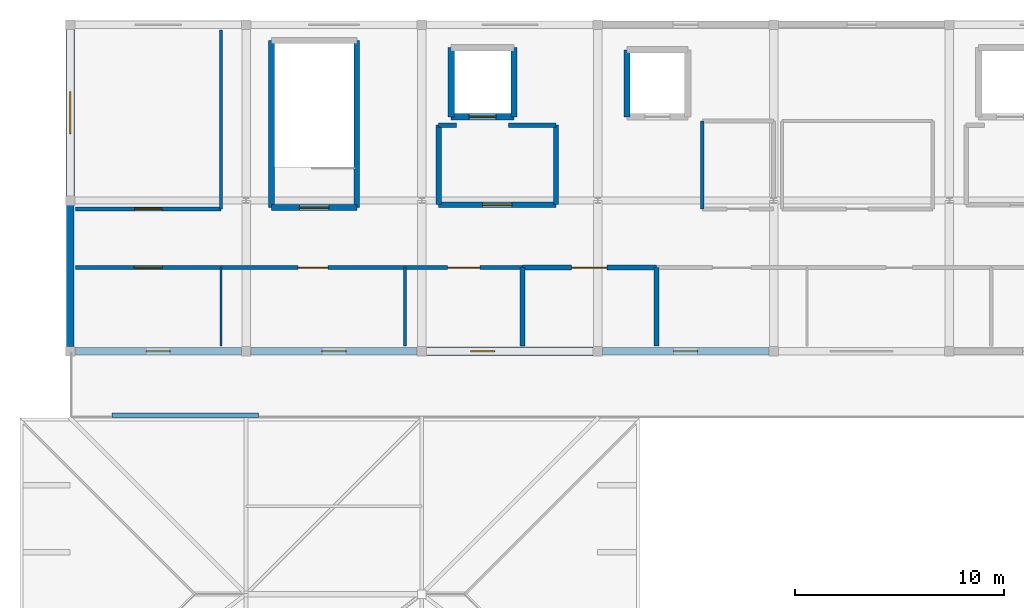
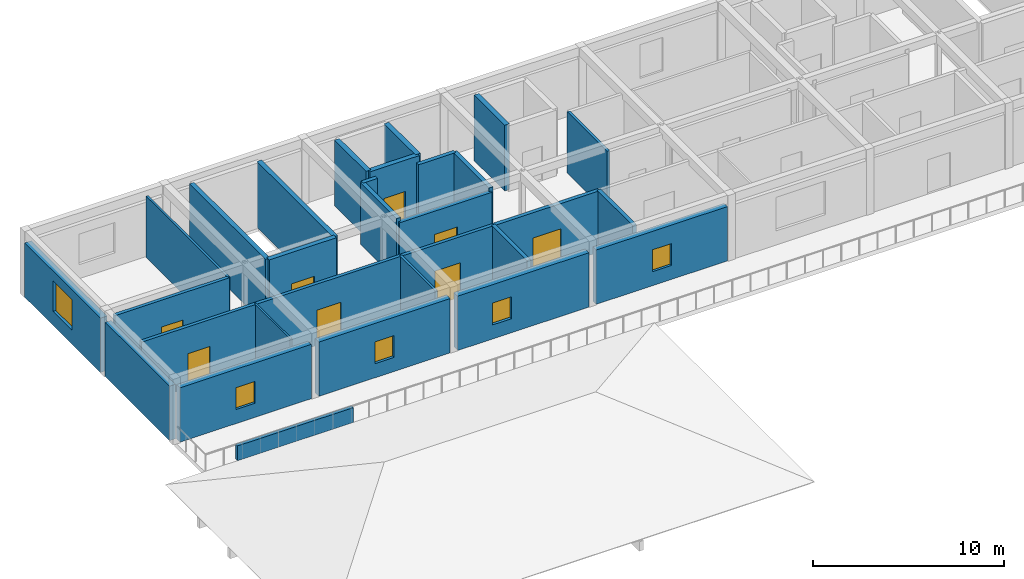
# One storey, part 14 of 22: 30 walls, 8 doors, 5 windows, 13 openings.
"""IFC4 building model written with IfcOpenShell, lengths in metres."""

import ifcopenshell
import ifcopenshell.guid

model = None  # the IFC model being written
_history = None  # IfcOwnerHistory: only IFC2X3 demands one
_inside = {}  # id of a spatial element -> (the spatial element, [elements in it])
_under = {}  # id of a project, library or spatial element -> (it, [spatial elements below it])
_declared = {}  # id of a project -> (the project, [libraries it declares])
_typed = {}  # id of a type object -> (the type object, [elements of that type])
_made_of = {}  # id of a material, layer set ... -> (it, [elements and type objects made of it])


def new_model(schema):
    """Start an empty IFC model of exactly this schema.

    Asked for "IFC4X3", IfcOpenShell would pick the latest addendum, in which some entities
    have other attributes; the version numbers below select the first issue.
    IFC2X3 requires an IfcOwnerHistory on every rooted entity: one is made here for all.
    """
    global model, _history
    if schema == "IFC4X3":
        model = ifcopenshell.file(schema_version=(4, 3, 0, 0))
    else:
        model = ifcopenshell.file(schema=schema)
    _inside.clear()
    _under.clear()
    _declared.clear()
    _typed.clear()
    _made_of.clear()
    _history = None
    if model.schema == "IFC2X3":
        org = make("IfcOrganization", Name="unknown")
        user = make(
            "IfcPersonAndOrganization",
            ThePerson=make("IfcPerson", FamilyName="unknown"),
            TheOrganization=org,
        )
        app = make(
            "IfcApplication",
            ApplicationDeveloper=org,
            Version="unknown",
            ApplicationFullName="unknown",
            ApplicationIdentifier="unknown",
        )
        _history = make(
            "IfcOwnerHistory",
            OwningUser=user,
            OwningApplication=app,
            ChangeAction="ADDED",
            CreationDate=0,
        )
    return model


def make(cls, **values):
    """One entity of the class cls with the attributes given. An attribute that is None is left unset."""
    return model.create_entity(
        cls, **{name: value for name, value in values.items() if value is not None}
    )


def rooted(cls, **values):
    """An entity with a GlobalId (a new one), such as an element, a storey or a relation."""
    return make(cls, GlobalId=ifcopenshell.guid.new(), OwnerHistory=_history, **values)


def si_unit(unit_type, name, prefix=None):
    """IfcSIUnit, for example si_unit("LENGTHUNIT", "METRE", prefix="MILLI")."""
    return make("IfcSIUnit", UnitType=unit_type, Prefix=prefix, Name=name)


def assignment(units):
    """IfcUnitAssignment: the units of a project."""
    return None if units is None else make("IfcUnitAssignment", Units=units)


def point(xyz):
    """IfcCartesianPoint."""
    return None if xyz is None else make("IfcCartesianPoint", Coordinates=xyz)


def direction(xyz):
    """IfcDirection."""
    return None if xyz is None else make("IfcDirection", DirectionRatios=xyz)


def frame(location, z_axis=None, x_axis=None):
    """IfcAxis2Placement3D, a coordinate frame: its origin and axes. An axis left out is left unset."""
    return make(
        "IfcAxis2Placement3D",
        Location=point(location),
        Axis=direction(z_axis),
        RefDirection=direction(x_axis),
    )


def frame_2d(location, x_axis=None):
    """IfcAxis2Placement2D, a coordinate frame in the plane: its origin and x axis."""
    return make(
        "IfcAxis2Placement2D", Location=point(location), RefDirection=direction(x_axis)
    )


def origin():
    """The frame at (0, 0, 0) with its axes left unset."""
    return frame((0.0, 0.0, 0.0))


def place(relative_to, where):
    """IfcLocalPlacement: puts the frame where relative to a parent placement (None: the world)."""
    return make(
        "IfcLocalPlacement", PlacementRelTo=relative_to, RelativePlacement=where
    )


def context(
    kind, dimensions, precision=None, world=None, true_north=None, identifier=None
):
    """IfcGeometricRepresentationContext, for example the 3D "Model" context."""
    return make(
        "IfcGeometricRepresentationContext",
        ContextIdentifier=identifier,
        ContextType=kind,
        CoordinateSpaceDimension=dimensions,
        Precision=precision,
        WorldCoordinateSystem=world,
        TrueNorth=true_north,
    )


def subcontext(parent, identifier, kind, view, scale=None):
    """IfcGeometricRepresentationSubContext, for example "Body" below "Model"."""
    return make(
        "IfcGeometricRepresentationSubContext",
        ContextIdentifier=identifier,
        ContextType=kind,
        ParentContext=parent,
        TargetScale=scale,
        TargetView=view,
    )


def project(units=None, contexts=None):
    """IfcProject with its units and contexts."""
    return rooted(
        "IfcProject",
        Name="project",
        RepresentationContexts=contexts,
        UnitsInContext=assignment(units),
    )


def spatial(cls, under=None, at=None, **own):
    """A site, building, storey or space (cls), placed at a placement, below another one or the project."""
    s = rooted(cls, ObjectPlacement=at, **own)
    if under is not None:
        _under.setdefault(under.id(), (under, []))[1].append(s)
    return s


def profile(cls, at=None, kind="AREA", **sizes):
    """A parametric profile (cls). Its sizes go by their IFC names, for example OverallWidth=200.0."""
    return make(cls, ProfileType=kind, Position=at, **sizes)


def rectangle(**sizes):
    """IfcRectangleProfileDef."""
    return profile("IfcRectangleProfileDef", **sizes)


def extrude(swept, where, along, depth):
    """IfcExtrudedAreaSolid: the profile swept, set in the frame where, extruded along a direction by depth."""
    return make(
        "IfcExtrudedAreaSolid",
        SweptArea=swept,
        Position=where,
        ExtrudedDirection=direction(along),
        Depth=depth,
    )


def shape(context_of_items, identifier, shape_type, items):
    """IfcShapeRepresentation: the items that make up one representation, for example the "Body"."""
    return make(
        "IfcShapeRepresentation",
        ContextOfItems=context_of_items,
        RepresentationIdentifier=identifier,
        RepresentationType=shape_type,
        Items=items,
    )


def material(Name=None, Category=None):
    """IfcMaterial."""
    return make("IfcMaterial", Name=Name, Category=Category)


def layer(
    of_material, thickness, ventilated=None, Name=None, Category=None, Priority=None
):
    """IfcMaterialLayer: one layer of a wall or slab, of a material (None: an air gap)."""
    return make(
        "IfcMaterialLayer",
        Material=of_material,
        LayerThickness=thickness,
        IsVentilated=ventilated,
        Name=Name,
        Category=Category,
        Priority=Priority,
    )


def layer_set(layers, Name=None):
    """IfcMaterialLayerSet."""
    return make("IfcMaterialLayerSet", MaterialLayers=layers, LayerSetName=Name)


def made_of(thing, what):
    """Note that an element or type object is made of a material, layer set ...; save() writes the relation."""
    if what is not None:
        _made_of.setdefault(what.id(), (what, []))[1].append(thing)
    return thing


def type_object(cls, material=None, **own):
    """A type object (cls), such as IfcWallType, which elements share."""
    return made_of(rooted(cls, **own), material)


def element(
    cls,
    number,
    at=None,
    inside=None,
    cuts=None,
    type_object=None,
    material=None,
    context=None,
    identifier="Body",
    shape_type=None,
    held_by="IfcProductDefinitionShape",
    body=None,
    shapes=None,
    **own,
):
    """One element of the class cls, such as IfcWall. Its Tag is "e" and its number.

    at: its placement. inside: the storey or other place that contains it. cuts: it is an
    opening in that element (IfcRelVoidsElement). A single representation is given by context,
    identifier, shape_type and body (its items); several are given by shapes. held_by: the class
    of the entity that holds the representations. save() writes the other relations.
    """
    e = rooted(cls, Tag="e%d" % number, ObjectPlacement=at, **own)
    if body is not None:
        shapes = [shape(context, identifier, shape_type, body)]
    if shapes is not None:
        e.Representation = make(held_by, Representations=shapes)
    if inside is not None:
        _inside.setdefault(inside.id(), (inside, []))[1].append(e)
    if cuts is not None:
        rooted(
            "IfcRelVoidsElement", RelatingBuildingElement=cuts, RelatedOpeningElement=e
        )
    if type_object is not None:
        _typed.setdefault(type_object.id(), (type_object, []))[1].append(e)
    return made_of(e, material)


def fill(opening, filler):
    """IfcRelFillsElement: the door or window that sits in an opening."""
    return rooted(
        "IfcRelFillsElement",
        RelatingOpeningElement=opening,
        RelatedBuildingElement=filler,
    )


def aggregate(whole, parts):
    """IfcRelAggregates: a whole, such as a stair, and the parts it consists of."""
    return rooted("IfcRelAggregates", RelatingObject=whole, RelatedObjects=parts)


def save(model, path):
    """Write the relations noted so far, then the file.

    IfcRelAggregates (storeys below a building ...), IfcRelContainedInSpatialStructure (elements
    in a storey), IfcRelDefinesByType, IfcRelAssociatesMaterial and IfcRelDeclares: one each for
    every whole, place, type object, material and project.
    """
    for whole, parts in _under.values():
        aggregate(whole, parts)
    for where, things in _inside.values():
        rooted(
            "IfcRelContainedInSpatialStructure",
            RelatedElements=things,
            RelatingStructure=where,
        )
    for kind, things in _typed.values():
        rooted("IfcRelDefinesByType", RelatedObjects=things, RelatingType=kind)
    for what, things in _made_of.values():
        rooted("IfcRelAssociatesMaterial", RelatedObjects=things, RelatingMaterial=what)
    for by, libraries in _declared.values():
        rooted("IfcRelDeclares", RelatingContext=by, RelatedDefinitions=libraries)
    model.write(path)


model = new_model("IFC4")

# Units and contexts
model_context = context("Model", 3, precision=1e-05, world=origin(), true_north=direction((0.0, 1.0)))
body_context = subcontext(model_context, "Body", "Model", "MODEL_VIEW")
ifc_project = project(units=[si_unit("LENGTHUNIT", "METRE"), si_unit("AREAUNIT", "SQUARE_METRE"), si_unit("VOLUMEUNIT", "CUBIC_METRE"), si_unit("PLANEANGLEUNIT", "RADIAN"), si_unit("MASSUNIT", "GRAM", prefix="KILO")], contexts=[model_context])

# Site, building, storey
site_placement = place(None, origin())
site = spatial("IfcSite", under=ifc_project, at=site_placement, CompositionType="ELEMENT")
building_placement = place(site_placement, origin())
building = spatial("IfcBuilding", under=site, at=building_placement, Name="Varncliffe General Hospital", CompositionType="ELEMENT")
storey_placement = place(building_placement, frame((0.0, 0.0, 33.0)))
storey = spatial("IfcBuildingStorey", under=building, at=storey_placement, Name="L07", CompositionType="ELEMENT", Elevation=33.0)

# Wall, opening, window
ifc_material_1 = material(Name="Precast concrete C40/50 with insulated cream lime-cement stucco", Category="concrete")
ifc_layer_1 = layer(ifc_material_1, 0.3798828125)
ifc_layer_set_1 = layer_set([ifc_layer_1], Name="Precast concrete C40/50 with insulated cream lime-cement stucco")
wall_type_1 = type_object("IfcWallType", Name="Exterior Insulated Stucco Wall EW26 (380mm)", PredefinedType="SOLIDWALL", material=ifc_layer_set_1)
wall_1_placement = place(storey_placement, frame((16.576904296875, 109.199951171875, 0.0), z_axis=(0.0, 0.0, 1.0), x_axis=(-1.0, 0.0, 0.0)))
wall_1 = element("IfcWall", 1, at=wall_1_placement, inside=storey, type_object=wall_type_1, Name="L07 Exterior Stucco Wall EW26-555", PredefinedType="SOLIDWALL", context=body_context, shape_type="SweptSolid", body=[
    extrude(rectangle(XDim=7.953857421875, YDim=0.3798828125, at=frame_2d((3.97705078125, 0.0))), origin(), (0.0, 0.0, 1.0), 3.47998046875),
])
opening_1_placement = place(wall_1_placement, frame((3.402099609375, 0.0, 0.89990234375)))
opening_1 = element("IfcOpeningElement", 2, at=opening_1_placement, cuts=wall_1, Name="Opening WN62", PredefinedType="OPENING", context=body_context, shape_type="SweptSolid", body=[
    extrude(rectangle(XDim=1.14990234375, YDim=1.39990234375, at=frame_2d((0.574951171875, 0.699951171875))), frame((0.0, 0.199951171875, 0.0), z_axis=(0.0, -1.0, 0.0), x_axis=(1.0, 0.0, 0.0)), (0.0, 0.0, 1.0), 0.39990234375),
])
ifc_material_2 = material(Name="Triple low-E argon insulated vision glazing", Category="glass")
window_type_1 = type_object("IfcWindowType", Name="Triple-Glazed Hospital Window WN62 (1150x1400)", PartitioningType="SINGLE_PANEL", PredefinedType="WINDOW", material=ifc_material_2)
window_1_placement = place(opening_1_placement, origin())
window_1 = element("IfcWindow", 3, at=window_1_placement, inside=storey, type_object=window_type_1, Name="L07 Hospital Window WN62-439", OverallHeight=1.39990234375, OverallWidth=1.14990234375, PartitioningType="SINGLE_PANEL", PredefinedType="WINDOW", context=body_context, shape_type="SweptSolid", body=[
    extrude(rectangle(XDim=1.14990234375, YDim=1.39990234375, at=frame_2d((0.574951171875, 0.699951171875))), frame((0.0, 0.030029296875, 0.0), z_axis=(0.0, -1.0, 0.0), x_axis=(1.0, 0.0, 0.0)), (0.0, 0.0, 1.0), 0.06005859375),
])
fill(opening_1, window_1)

# Wall
ifc_layer_2 = layer(ifc_material_1, 0.35009765625)
ifc_layer_set_2 = layer_set([ifc_layer_2], Name="Precast concrete C40/50 with insulated cream lime-cement stucco")
wall_type_2 = type_object("IfcWallType", Name="Exterior Insulated Stucco Wall EW37 (350mm)", PredefinedType="SOLIDWALL", material=ifc_layer_set_2)
wall_2_placement = place(storey_placement, frame((0.0, 109.423095703125, 0.0), z_axis=(0.0, 0.0, 1.0), x_axis=(0.0, 1.0, 0.0)))
element("IfcWall", 4, at=wall_2_placement, inside=storey, type_object=wall_type_2, Name="L07 Exterior Stucco Wall EW37-537", PredefinedType="SOLIDWALL", context=body_context, shape_type="SweptSolid", body=[
    extrude(rectangle(XDim=6.75390625, YDim=0.35009765625, at=frame_2d((3.376953125, 0.0))), origin(), (0.0, 0.0, 1.0), 3.47998046875),
])

# Wall, opening, window
wall_3_placement = place(storey_placement, frame((33.376953125, 109.199951171875, 0.0), z_axis=(0.0, 0.0, 1.0), x_axis=(-1.0, 0.0, 0.0)))
wall_3 = element("IfcWall", 5, at=wall_3_placement, inside=storey, type_object=wall_type_2, Name="L07 Exterior Stucco Wall EW37-553", PredefinedType="SOLIDWALL", context=body_context, shape_type="SweptSolid", body=[
    extrude(rectangle(XDim=7.953857421875, YDim=0.35009765625, at=frame_2d((3.97705078125, 0.0))), origin(), (0.0, 0.0, 1.0), 3.47998046875),
])
opening_2_placement = place(wall_3_placement, frame((3.402099609375, 0.0, 0.89990234375)))
opening_2 = element("IfcOpeningElement", 6, at=opening_2_placement, cuts=wall_3, Name="Opening WN62", PredefinedType="OPENING", context=body_context, shape_type="SweptSolid", body=[
    extrude(rectangle(XDim=1.14990234375, YDim=1.39990234375, at=frame_2d((0.574951171875, 0.699951171875))), frame((0.0, 0.18505859375, 0.0), z_axis=(0.0, -1.0, 0.0), x_axis=(1.0, 0.0, 0.0)), (0.0, 0.0, 1.0), 0.3701171875),
])
window_2_placement = place(opening_2_placement, origin())
window_2 = element("IfcWindow", 7, at=window_2_placement, inside=storey, type_object=window_type_1, Name="L07 Hospital Window WN62-437", OverallHeight=1.39990234375, OverallWidth=1.14990234375, PartitioningType="SINGLE_PANEL", PredefinedType="WINDOW", context=body_context, shape_type="SweptSolid", body=[
    extrude(rectangle(XDim=1.14990234375, YDim=1.39990234375, at=frame_2d((0.574951171875, 0.699951171875))), frame((0.0, 0.030029296875, 0.0), z_axis=(0.0, -1.0, 0.0), x_axis=(1.0, 0.0, 0.0)), (0.0, 0.0, 1.0), 0.06005859375),
])
fill(opening_2, window_2)

wall_4_placement = place(storey_placement, frame((8.177001953125, 109.199951171875, 0.0), z_axis=(0.0, 0.0, 1.0), x_axis=(-1.0, 0.0, 0.0)))
wall_4 = element("IfcWall", 8, at=wall_4_placement, inside=storey, type_object=wall_type_2, Name="L07 Exterior Stucco Wall EW37-556", PredefinedType="SOLIDWALL", context=body_context, shape_type="SweptSolid", body=[
    extrude(rectangle(XDim=7.9541015625, YDim=0.35009765625, at=frame_2d((3.97705078125, 0.0))), origin(), (0.0, 0.0, 1.0), 3.47998046875),
])
opening_3_placement = place(wall_4_placement, frame((3.402099609375, 0.0, 0.89990234375)))
opening_3 = element("IfcOpeningElement", 9, at=opening_3_placement, cuts=wall_4, Name="Opening WN62", PredefinedType="OPENING", context=body_context, shape_type="SweptSolid", body=[
    extrude(rectangle(XDim=1.14990234375, YDim=1.39990234375, at=frame_2d((0.574951171875, 0.699951171875))), frame((0.0, 0.18505859375, 0.0), z_axis=(0.0, -1.0, 0.0), x_axis=(1.0, 0.0, 0.0)), (0.0, 0.0, 1.0), 0.3701171875),
])
window_3_placement = place(opening_3_placement, origin())
window_3 = element("IfcWindow", 10, at=window_3_placement, inside=storey, type_object=window_type_1, Name="L07 Hospital Window WN62-440", OverallHeight=1.39990234375, OverallWidth=1.14990234375, PartitioningType="SINGLE_PANEL", PredefinedType="WINDOW", context=body_context, shape_type="SweptSolid", body=[
    extrude(rectangle(XDim=1.14990234375, YDim=1.39990234375, at=frame_2d((0.574951171875, 0.699951171875))), frame((0.0, 0.030029296875, 0.0), z_axis=(0.0, -1.0, 0.0), x_axis=(1.0, 0.0, 0.0)), (0.0, 0.0, 1.0), 0.06005859375),
])
fill(opening_3, window_3)

ifc_layer_3 = layer(ifc_material_1, 0.39990234375)
ifc_layer_set_3 = layer_set([ifc_layer_3], Name="Precast concrete C40/50 with insulated cream lime-cement stucco")
wall_type_3 = type_object("IfcWallType", Name="Exterior Insulated Stucco Wall EW47 (400mm)", PredefinedType="SOLIDWALL", material=ifc_layer_set_3)
wall_5_placement = place(storey_placement, frame((0.0, 116.623046875, 0.0), z_axis=(0.0, 0.0, 1.0), x_axis=(0.0, 1.0, 0.0)))
wall_5 = element("IfcWall", 11, at=wall_5_placement, inside=storey, type_object=wall_type_3, Name="L07 Exterior Stucco Wall EW47-538", PredefinedType="SOLIDWALL", context=body_context, shape_type="SweptSolid", body=[
    extrude(rectangle(XDim=7.953857421875, YDim=0.39990234375, at=frame_2d((3.97705078125, 0.0))), origin(), (0.0, 0.0, 1.0), 3.47998046875),
])
opening_4_placement = place(wall_5_placement, frame((2.97705078125, 0.0, 0.89990234375)))
opening_4 = element("IfcOpeningElement", 12, at=opening_4_placement, cuts=wall_5, Name="Opening WN79", PredefinedType="OPENING", context=body_context, shape_type="SweptSolid", body=[
    extrude(rectangle(XDim=2.0, YDim=1.949951171875, at=frame_2d((1.0, 0.97509765625))), frame((0.0, 0.2099609375, 0.0), z_axis=(0.0, -1.0, 0.0), x_axis=(1.0, 0.0, 0.0)), (0.0, 0.0, 1.0), 0.419921875),
])
window_type_2 = type_object("IfcWindowType", Name="Triple-Glazed Hospital Window WN79 (2000x1950)", PartitioningType="DOUBLE_PANEL_VERTICAL", PredefinedType="WINDOW", material=ifc_material_2)
window_4_placement = place(opening_4_placement, origin())
window_4 = element("IfcWindow", 13, at=window_4_placement, inside=storey, type_object=window_type_2, Name="L07 Hospital Window WN79-425", OverallHeight=1.949951171875, OverallWidth=2.0, PartitioningType="DOUBLE_PANEL_VERTICAL", PredefinedType="WINDOW", context=body_context, shape_type="SweptSolid", body=[
    extrude(rectangle(XDim=2.0, YDim=1.949951171875, at=frame_2d((1.0, 0.97509765625))), frame((0.0, 0.030029296875, 0.0), z_axis=(0.0, -1.0, 0.0), x_axis=(1.0, 0.0, 0.0)), (0.0, 0.0, 1.0), 0.06005859375),
])
fill(opening_4, window_4)

wall_6_placement = place(storey_placement, frame((24.97705078125, 109.199951171875, 0.0), z_axis=(0.0, 0.0, 1.0), x_axis=(-1.0, 0.0, 0.0)))
wall_6 = element("IfcWall", 14, at=wall_6_placement, inside=storey, type_object=wall_type_3, Name="L07 Exterior Stucco Wall EW47-554", PredefinedType="SOLIDWALL", context=body_context, shape_type="SweptSolid", body=[
    extrude(rectangle(XDim=7.9541015625, YDim=0.39990234375, at=frame_2d((3.97705078125, 0.0))), origin(), (0.0, 0.0, 1.0), 3.47998046875),
])
opening_5_placement = place(wall_6_placement, frame((4.700927734375, 0.0, 0.89990234375)))
opening_5 = element("IfcOpeningElement", 15, at=opening_5_placement, cuts=wall_6, Name="Opening WN62", PredefinedType="OPENING", context=body_context, shape_type="SweptSolid", body=[
    extrude(rectangle(XDim=1.14990234375, YDim=1.39990234375, at=frame_2d((0.574951171875, 0.699951171875))), frame((0.0, 0.2099609375, 0.0), z_axis=(0.0, -1.0, 0.0), x_axis=(1.0, 0.0, 0.0)), (0.0, 0.0, 1.0), 0.419921875),
])
window_5_placement = place(opening_5_placement, origin())
window_5 = element("IfcWindow", 16, at=window_5_placement, inside=storey, type_object=window_type_1, Name="L07 Hospital Window WN62-438", OverallHeight=1.39990234375, OverallWidth=1.14990234375, PartitioningType="SINGLE_PANEL", PredefinedType="WINDOW", context=body_context, shape_type="SweptSolid", body=[
    extrude(rectangle(XDim=1.14990234375, YDim=1.39990234375, at=frame_2d((0.574951171875, 0.699951171875))), frame((0.0, 0.030029296875, 0.0), z_axis=(0.0, -1.0, 0.0), x_axis=(1.0, 0.0, 0.0)), (0.0, 0.0, 1.0), 0.06005859375),
])
fill(opening_5, window_5)

# Walls
ifc_material_3 = material(Name="Acoustic clinical gypsum stud partition assembly", Category="gypsum")
ifc_layer_4 = layer(ifc_material_3, 0.1298828125)
ifc_layer_set_4 = layer_set([ifc_layer_4], Name="Acoustic clinical gypsum stud partition assembly")
wall_type_4 = type_object("IfcWallType", Name="Interior Partitioning IW11 (130mm)", PredefinedType="PARTITIONING", material=ifc_layer_set_4)
wall_7_placement = place(storey_placement, frame((7.199951171875, 116.0, 0.0), z_axis=(0.0, 0.0, 1.0), x_axis=(0.0, 1.0, 0.0)))
element("IfcWall", 17, at=wall_7_placement, inside=storey, type_object=wall_type_4, Name="L07 Interior Partition Wall IW11-2373", PredefinedType="PARTITIONING", context=body_context, shape_type="SweptSolid", body=[
    extrude(rectangle(XDim=8.5400390625, YDim=0.1298828125, at=frame_2d((4.27001953125, 0.0))), origin(), (0.0, 0.0, 1.0), 3.919921875),
])
ifc_layer_5 = layer(ifc_material_3, 0.14990234375)
ifc_layer_set_5 = layer_set([ifc_layer_5], Name="Acoustic clinical gypsum stud partition assembly")
wall_type_5 = type_object("IfcWallType", Name="Interior Partitioning IW35 (150mm)", PredefinedType="PARTITIONING", material=ifc_layer_set_5)
wall_8_placement = place(storey_placement, frame((16.0, 109.4599609375, 0.0), z_axis=(0.0, 0.0, 1.0), x_axis=(0.0, 1.0, 0.0)))
element("IfcWall", 18, at=wall_8_placement, inside=storey, type_object=wall_type_5, Name="L07 Interior Partition Wall IW35-2374", PredefinedType="PARTITIONING", context=body_context, shape_type="SweptSolid", body=[
    extrude(rectangle(XDim=3.739990234375, YDim=0.14990234375, at=frame_2d((1.8701171875, 0.0))), origin(), (0.0, 0.0, 1.0), 3.919921875),
])
ifc_layer_6 = layer(ifc_material_3, 0.110107421875)
ifc_layer_set_6 = layer_set([ifc_layer_6], Name="Acoustic clinical gypsum stud partition assembly")
wall_type_6 = type_object("IfcWallType", Name="Interior Partitioning IW65 (110mm)", PredefinedType="PARTITIONING", material=ifc_layer_set_6)
wall_9_placement = place(storey_placement, frame((7.199951171875, 109.4599609375, 0.0), z_axis=(0.0, 0.0, 1.0), x_axis=(0.0, 1.0, 0.0)))
element("IfcWall", 19, at=wall_9_placement, inside=storey, type_object=wall_type_6, Name="L07 Interior Partition Wall IW65-2372", PredefinedType="PARTITIONING", context=body_context, shape_type="SweptSolid", body=[
    extrude(rectangle(XDim=3.739990234375, YDim=0.110107421875, at=frame_2d((1.8701171875, 0.0))), origin(), (0.0, 0.0, 1.0), 3.919921875),
])

# Wall, opening, door
ifc_material_4 = material(Name="Fire-rated gypsum and mineral-wool partition assembly", Category="gypsum")
ifc_layer_7 = layer(ifc_material_4, 0.25)
ifc_layer_set_7 = layer_set([ifc_layer_7], Name="Fire-rated gypsum and mineral-wool partition assembly")
wall_type_7 = type_object("IfcWallType", Name="Interior Partitioning PW38 (250mm)", PredefinedType="PARTITIONING", material=ifc_layer_set_7)
wall_10_placement = place(storey_placement, frame((17.60009765625, 116.199951171875, 0.0), z_axis=(0.0, 0.0, 1.0), x_axis=(1.0, 0.0, 0.0)))
wall_10 = element("IfcWall", 20, at=wall_10_placement, inside=storey, type_object=wall_type_7, Name="L07 Interior Partition Wall PW38-2359", PredefinedType="PARTITIONING", context=body_context, shape_type="SweptSolid", body=[
    extrude(rectangle(XDim=5.599853515625, YDim=0.25, at=frame_2d((2.7998046875, 0.0))), origin(), (0.0, 0.0, 1.0), 3.68505859375),
])
opening_6_placement = place(wall_10_placement, frame((2.10009765625, 0.0, 0.0)))
opening_6 = element("IfcOpeningElement", 21, at=opening_6_placement, cuts=wall_10, Name="Opening DF81", PredefinedType="OPENING", context=body_context, shape_type="SweptSolid", body=[
    extrude(rectangle(XDim=1.39990234375, YDim=2.199951171875, at=frame_2d((0.699951171875, 1.10009765625))), frame((0.0, 0.135009765625, 0.0), z_axis=(0.0, -1.0, 0.0), x_axis=(1.0, 0.0, 0.0)), (0.0, 0.0, 1.0), 0.27001953125),
])
ifc_material_5 = material(Name="Fire-rated hospital steel-frame vision-panel door", Category="steel")
door_type_1 = type_object("IfcDoorType", Name="Interior Hospital Door DF81 (1400x2200)", OperationType="NOTDEFINED", PredefinedType="DOOR", material=ifc_material_5)
door_1_placement = place(opening_6_placement, origin())
door_1 = element("IfcDoor", 22, at=door_1_placement, inside=storey, type_object=door_type_1, Name="L07 Firefighting Lift Lobby LF01 Door", OperationType="SINGLE_SWING_LEFT", OverallHeight=2.199951171875, OverallWidth=1.39990234375, PredefinedType="DOOR", context=body_context, shape_type="SweptSolid", body=[
    extrude(rectangle(XDim=1.39990234375, YDim=2.199951171875, at=frame_2d((0.699951171875, 1.10009765625))), frame((0.0, 0.02490234375, 0.0), z_axis=(0.0, -1.0, 0.0), x_axis=(1.0, 0.0, 0.0)), (0.0, 0.0, 1.0), 0.050048828125),
])
fill(opening_6, door_1)

# Walls
for number, where, z_axis, x_axis, name in (
    (23, (17.60009765625, 116.199951171875, 0.0), (0.0, 0.0, 1.0), (0.0, 1.0, 0.0), "L07 Interior Partition Wall PW38-2375"),
    (24, (23.199951171875, 116.199951171875, 0.0), (0.0, 0.0, 1.0), (0.0, 1.0, 0.0), "L07 Interior Partition Wall PW38-2377"),
):
    element("IfcWall", number, at=place(storey_placement, frame(where, z_axis=z_axis, x_axis=x_axis)), inside=storey, type_object=wall_type_7, Name=name, PredefinedType="PARTITIONING", context=body_context, shape_type="SweptSolid", body=[
        extrude(rectangle(XDim=3.800048828125, YDim=0.25, at=frame_2d((1.89990234375, 0.0))), origin(), (0.0, 0.0, 1.0), 3.919921875),
    ])

# Wall, opening, door
ifc_layer_8 = layer(ifc_material_4, 0.22998046875)
ifc_layer_set_8 = layer_set([ifc_layer_8], Name="Fire-rated gypsum and mineral-wool partition assembly")
wall_type_8 = type_object("IfcWallType", Name="Interior Partitioning PW48 (230mm)", PredefinedType="PARTITIONING", material=ifc_layer_set_8)
wall_11_placement = place(storey_placement, frame((21.60009765625, 113.199951171875, 0.0), z_axis=(0.0, 0.0, 1.0), x_axis=(1.0, 0.0, 0.0)))
wall_11 = element("IfcWall", 25, at=wall_11_placement, inside=storey, type_object=wall_type_8, Name="L07 Interior Partition Wall PW48-2332", PredefinedType="PARTITIONING", context=body_context, shape_type="SweptSolid", body=[
    extrude(rectangle(XDim=6.39990234375, YDim=0.22998046875, at=frame_2d((3.199951171875, 0.0))), origin(), (0.0, 0.0, 1.0), 3.919921875),
])
opening_7_placement = place(wall_11_placement, frame((2.35009765625, 0.0, 0.0)))
opening_7 = element("IfcOpeningElement", 26, at=opening_7_placement, cuts=wall_11, Name="Opening DC50", PredefinedType="OPENING", context=body_context, shape_type="SweptSolid", body=[
    extrude(rectangle(XDim=1.699951171875, YDim=2.300048828125, at=frame_2d((0.85009765625, 1.14990234375))), frame((0.0, 0.125, 0.0), z_axis=(0.0, -1.0, 0.0), x_axis=(1.0, 0.0, 0.0)), (0.0, 0.0, 1.0), 0.25),
])
door_type_2 = type_object("IfcDoorType", Name="Interior Hospital Door DC50 (1700x2300)", OperationType="NOTDEFINED", PredefinedType="DOOR", material=ifc_material_5)
door_2_placement = place(opening_7_placement, frame((1.699951171875, 0.0, 0.0), z_axis=(0.0, 0.0, 1.0), x_axis=(-1.0, 0.0, 0.0)))
door_2 = element("IfcDoor", 27, at=door_2_placement, inside=storey, type_object=door_type_2, Name="L07 Crown Wing Mechanical Plant Room 20 Door", OperationType="SINGLE_SWING_RIGHT", OverallHeight=2.300048828125, OverallWidth=1.699951171875, PredefinedType="DOOR", context=body_context, shape_type="SweptSolid", body=[
    extrude(rectangle(XDim=1.699951171875, YDim=2.300048828125, at=frame_2d((0.85009765625, 1.14990234375))), frame((0.0, 0.02490234375, 0.0), z_axis=(0.0, -1.0, 0.0), x_axis=(1.0, 0.0, 0.0)), (0.0, 0.0, 1.0), 0.050048828125),
])
fill(opening_7, door_2)

# Walls
wall_12_placement = place(storey_placement, frame((20.935791015625, 120.0, 0.0), z_axis=(0.0, 0.0, 1.0), x_axis=(1.0, 0.0, 0.0)))
element("IfcWall", 28, at=wall_12_placement, inside=storey, type_object=wall_type_8, Name="L07 Interior Partition Wall PW48-2362", PredefinedType="PARTITIONING", context=body_context, shape_type="SweptSolid", body=[
    extrude(rectangle(XDim=2.26416015625, YDim=0.22998046875, at=frame_2d((1.132080078125, 0.0))), origin(), (0.0, 0.0, 1.0), 3.919921875),
])
wall_13_placement = place(storey_placement, frame((17.60009765625, 120.0, 0.0), z_axis=(0.0, 0.0, 1.0), x_axis=(1.0, 0.0, 0.0)))
element("IfcWall", 29, at=wall_13_placement, inside=storey, type_object=wall_type_8, Name="L07 Interior Partition Wall PW48-2363", PredefinedType="PARTITIONING", context=body_context, shape_type="SweptSolid", body=[
    extrude(rectangle(XDim=0.864013671875, YDim=0.22998046875, at=frame_2d((0.43212890625, 0.0))), origin(), (0.0, 0.0, 1.0), 3.919921875),
])
for number, where, z_axis, x_axis, name in (
    (30, (21.60009765625, 109.4599609375, 0.0), (0.0, 0.0, 1.0), (0.0, 1.0, 0.0), "L07 Interior Partition Wall PW48-2376"),
    (31, (28.0, 109.4599609375, 0.0), (0.0, 0.0, 1.0), (0.0, 1.0, 0.0), "L07 Interior Partition Wall PW48-2378"),
):
    element("IfcWall", number, at=place(storey_placement, frame(where, z_axis=z_axis, x_axis=x_axis)), inside=storey, type_object=wall_type_8, Name=name, PredefinedType="PARTITIONING", context=body_context, shape_type="SweptSolid", body=[
        extrude(rectangle(XDim=3.739990234375, YDim=0.22998046875, at=frame_2d((1.8701171875, 0.0))), origin(), (0.0, 0.0, 1.0), 3.919921875),
    ])

# Wall, opening, door
ifc_layer_9 = layer(ifc_material_4, 0.199951171875)
ifc_layer_set_9 = layer_set([ifc_layer_9], Name="Fire-rated gypsum and mineral-wool partition assembly")
wall_type_9 = type_object("IfcWallType", Name="Interior Partitioning PW63 (200mm)", PredefinedType="PARTITIONING", material=ifc_layer_set_9)
wall_14_placement = place(storey_placement, frame((0.260009765625, 113.199951171875, 0.0), z_axis=(0.0, 0.0, 1.0), x_axis=(1.0, 0.0, 0.0)))
wall_14 = element("IfcWall", 32, at=wall_14_placement, inside=storey, type_object=wall_type_9, Name="L07 Interior Partition Wall PW63-2329", PredefinedType="PARTITIONING", context=body_context, shape_type="SweptSolid", body=[
    extrude(rectangle(XDim=6.93994140625, YDim=0.199951171875, at=frame_2d((3.469970703125, 0.0))), origin(), (0.0, 0.0, 1.0), 3.919921875),
])
opening_8_placement = place(wall_14_placement, frame((2.794921875, 0.0, 0.0)))
opening_8 = element("IfcOpeningElement", 33, at=opening_8_placement, cuts=wall_14, Name="Opening DC85", PredefinedType="OPENING", context=body_context, shape_type="SweptSolid", body=[
    extrude(rectangle(XDim=1.35009765625, YDim=2.199951171875, at=frame_2d((0.675048828125, 1.10009765625))), frame((0.0, 0.10986328125, 0.0), z_axis=(0.0, -1.0, 0.0), x_axis=(1.0, 0.0, 0.0)), (0.0, 0.0, 1.0), 0.219970703125),
])
door_type_3 = type_object("IfcDoorType", Name="Interior Hospital Door DC85 (1350x2200)", OperationType="NOTDEFINED", PredefinedType="DOOR", material=ifc_material_5)
door_3_placement = place(opening_8_placement, frame((1.35009765625, 0.0, 0.0), z_axis=(0.0, 0.0, 1.0), x_axis=(-1.0, 0.0, 0.0)))
door_3 = element("IfcDoor", 34, at=door_3_placement, inside=storey, type_object=door_type_3, Name="L07 Adolescent Inpatient Suite 17 Door", OperationType="SINGLE_SWING_LEFT", OverallHeight=2.199951171875, OverallWidth=1.35009765625, PredefinedType="DOOR", context=body_context, shape_type="SweptSolid", body=[
    extrude(rectangle(XDim=1.35009765625, YDim=2.199951171875, at=frame_2d((0.675048828125, 1.10009765625))), frame((0.0, 0.02490234375, 0.0), z_axis=(0.0, -1.0, 0.0), x_axis=(1.0, 0.0, 0.0)), (0.0, 0.0, 1.0), 0.050048828125),
])
fill(opening_8, door_3)

wall_15_placement = place(storey_placement, frame((7.199951171875, 113.199951171875, 0.0), z_axis=(0.0, 0.0, 1.0), x_axis=(1.0, 0.0, 0.0)))
wall_15 = element("IfcWall", 35, at=wall_15_placement, inside=storey, type_object=wall_type_9, Name="L07 Interior Partition Wall PW63-2330", PredefinedType="PARTITIONING", context=body_context, shape_type="SweptSolid", body=[
    extrude(rectangle(XDim=8.800048828125, YDim=0.199951171875, at=frame_2d((4.39990234375, 0.0))), origin(), (0.0, 0.0, 1.0), 3.919921875),
])
opening_9_placement = place(wall_15_placement, frame((3.675048828125, 0.0, 0.0)))
opening_9 = element("IfcOpeningElement", 36, at=opening_9_placement, cuts=wall_15, Name="Opening DC66", PredefinedType="OPENING", context=body_context, shape_type="SweptSolid", body=[
    extrude(rectangle(XDim=1.449951171875, YDim=2.25, at=frame_2d((0.72509765625, 1.125))), frame((0.0, 0.10986328125, 0.0), z_axis=(0.0, -1.0, 0.0), x_axis=(1.0, 0.0, 0.0)), (0.0, 0.0, 1.0), 0.219970703125),
])
door_type_4 = type_object("IfcDoorType", Name="Interior Hospital Door DC66 (1450x2250)", OperationType="NOTDEFINED", PredefinedType="DOOR", material=ifc_material_5)
door_4_placement = place(opening_9_placement, frame((1.449951171875, 0.0, 0.0), z_axis=(0.0, 0.0, 1.0), x_axis=(-1.0, 0.0, 0.0)))
door_4 = element("IfcDoor", 37, at=door_4_placement, inside=storey, type_object=door_type_4, Name="L07 Patient Healing Solarium 18 Door", OperationType="SINGLE_SWING_RIGHT", OverallHeight=2.25, OverallWidth=1.449951171875, PredefinedType="DOOR", context=body_context, shape_type="SweptSolid", body=[
    extrude(rectangle(XDim=1.449951171875, YDim=2.25, at=frame_2d((0.72509765625, 1.125))), frame((0.0, 0.02490234375, 0.0), z_axis=(0.0, -1.0, 0.0), x_axis=(1.0, 0.0, 0.0)), (0.0, 0.0, 1.0), 0.050048828125),
])
fill(opening_9, door_4)

wall_16_placement = place(storey_placement, frame((16.0, 113.199951171875, 0.0), z_axis=(0.0, 0.0, 1.0), x_axis=(1.0, 0.0, 0.0)))
wall_16 = element("IfcWall", 38, at=wall_16_placement, inside=storey, type_object=wall_type_9, Name="L07 Interior Partition Wall PW63-2331", PredefinedType="PARTITIONING", context=body_context, shape_type="SweptSolid", body=[
    extrude(rectangle(XDim=5.60009765625, YDim=0.199951171875, at=frame_2d((2.800048828125, 0.0))), origin(), (0.0, 0.0, 1.0), 3.919921875),
])
opening_10_placement = place(wall_16_placement, frame((2.02490234375, 0.0, 0.0)))
opening_10 = element("IfcOpeningElement", 39, at=opening_10_placement, cuts=wall_16, Name="Opening DC67", PredefinedType="OPENING", context=body_context, shape_type="SweptSolid", body=[
    extrude(rectangle(XDim=1.550048828125, YDim=2.25, at=frame_2d((0.77490234375, 1.125))), frame((0.0, 0.10986328125, 0.0), z_axis=(0.0, -1.0, 0.0), x_axis=(1.0, 0.0, 0.0)), (0.0, 0.0, 1.0), 0.219970703125),
])
door_type_5 = type_object("IfcDoorType", Name="Interior Hospital Door DC67 (1550x2250)", OperationType="NOTDEFINED", PredefinedType="DOOR", material=ifc_material_5)
door_5_placement = place(opening_10_placement, frame((1.550048828125, 0.0, 0.0), z_axis=(0.0, 0.0, 1.0), x_axis=(-1.0, 0.0, 0.0)))
door_5 = element("IfcDoor", 40, at=door_5_placement, inside=storey, type_object=door_type_5, Name="L07 On-Call Physician Duty Room 19 Door", OperationType="SINGLE_SWING_LEFT", OverallHeight=2.25, OverallWidth=1.550048828125, PredefinedType="DOOR", context=body_context, shape_type="SweptSolid", body=[
    extrude(rectangle(XDim=1.550048828125, YDim=2.25, at=frame_2d((0.77490234375, 1.125))), frame((0.0, 0.02490234375, 0.0), z_axis=(0.0, -1.0, 0.0), x_axis=(1.0, 0.0, 0.0)), (0.0, 0.0, 1.0), 0.050048828125),
])
fill(opening_10, door_5)

wall_17_placement = place(storey_placement, frame((0.260009765625, 116.0, 0.0), z_axis=(0.0, 0.0, 1.0), x_axis=(1.0, 0.0, 0.0)))
wall_17 = element("IfcWall", 41, at=wall_17_placement, inside=storey, type_object=wall_type_9, Name="L07 Interior Partition Wall PW63-2349", PredefinedType="PARTITIONING", context=body_context, shape_type="SweptSolid", body=[
    extrude(rectangle(XDim=6.93994140625, YDim=0.199951171875, at=frame_2d((3.469970703125, 0.0))), origin(), (0.0, 0.0, 1.0), 3.919921875),
])
opening_11_placement = place(wall_17_placement, frame((2.820068359375, 0.0, 0.0)))
opening_11 = element("IfcOpeningElement", 42, at=opening_11_placement, cuts=wall_17, Name="Opening DC88", PredefinedType="OPENING", context=body_context, shape_type="SweptSolid", body=[
    extrude(rectangle(XDim=1.300048828125, YDim=2.199951171875, at=frame_2d((0.64990234375, 1.10009765625))), frame((0.0, 0.10986328125, 0.0), z_axis=(0.0, -1.0, 0.0), x_axis=(1.0, 0.0, 0.0)), (0.0, 0.0, 1.0), 0.219970703125),
])
door_type_6 = type_object("IfcDoorType", Name="Interior Hospital Door DC88 (1300x2200)", OperationType="NOTDEFINED", PredefinedType="DOOR", material=ifc_material_5)
door_6_placement = place(opening_11_placement, origin())
door_6 = element("IfcDoor", 43, at=door_6_placement, inside=storey, type_object=door_type_6, Name="L07 Adolescent Inpatient Suite 37 Door", OperationType="SINGLE_SWING_LEFT", OverallHeight=2.199951171875, OverallWidth=1.300048828125, PredefinedType="DOOR", context=body_context, shape_type="SweptSolid", body=[
    extrude(rectangle(XDim=1.300048828125, YDim=2.199951171875, at=frame_2d((0.64990234375, 1.10009765625))), frame((0.0, 0.02490234375, 0.0), z_axis=(0.0, -1.0, 0.0), x_axis=(1.0, 0.0, 0.0)), (0.0, 0.0, 1.0), 0.050048828125),
])
fill(opening_11, door_6)

# Wall
ifc_material_6 = material(Name="Moisture-resistant plumbing chase wall assembly", Category="gypsum")
ifc_layer_10 = layer(ifc_material_6, 0.159912109375)
ifc_layer_set_10 = layer_set([ifc_layer_10], Name="Moisture-resistant plumbing chase wall assembly")
wall_type_10 = type_object("IfcWallType", Name="Interior Plumbingwall MW31 (160mm)", PredefinedType="PLUMBINGWALL", material=ifc_layer_set_10)
wall_18_placement = place(storey_placement, frame((30.199951171875, 116.0, 0.0), z_axis=(0.0, 0.0, 1.0), x_axis=(0.0, 1.0, 0.0)))
element("IfcWall", 44, at=wall_18_placement, inside=storey, type_object=wall_type_10, Name="L07 Interior Plumbing Wall MW31-2379", PredefinedType="PLUMBINGWALL", context=body_context, shape_type="SweptSolid", body=[
    extrude(rectangle(XDim=4.199951171875, YDim=0.159912109375, at=frame_2d((2.10009765625, 0.0))), origin(), (0.0, 0.0, 1.0), 3.919921875),
])

# Wall, opening, door
ifc_material_7 = material(Name="Concrete C40/50 (CSA A23.1 40 MPa)", Category="concrete")
ifc_layer_11 = layer(ifc_material_7, 0.300048828125)
ifc_layer_set_11 = layer_set([ifc_layer_11], Name="Concrete C40/50 (CSA A23.1 40 MPa)")
wall_type_11 = type_object("IfcWallType", Name="Reinforced Concrete Core Shear Wall CW12 (300mm)", PredefinedType="SHEAR", material=ifc_layer_set_11)
wall_19_placement = place(storey_placement, frame((18.199951171875, 120.39990234375, 0.0), z_axis=(0.0, 0.0, 1.0), x_axis=(1.0, 0.0, 0.0)))
wall_19 = element("IfcWall", 45, at=wall_19_placement, inside=storey, type_object=wall_type_11, Name="L07 LF01 Elevator Shaft Wall South", PredefinedType="SHEAR", context=body_context, shape_type="SweptSolid", body=[
    extrude(rectangle(XDim=3.0, YDim=0.300048828125, at=frame_2d((1.5, 0.0))), origin(), (0.0, 0.0, 1.0), 4.199951171875),
])
opening_12_placement = place(wall_19_placement, frame((0.85009765625, 0.0, 0.0)))
opening_12 = element("IfcOpeningElement", 46, at=opening_12_placement, cuts=wall_19, Name="Opening LD02", PredefinedType="OPENING", context=body_context, shape_type="SweptSolid", body=[
    extrude(rectangle(XDim=1.300048828125, YDim=2.199951171875, at=frame_2d((0.64990234375, 1.10009765625))), frame((0.0, 0.16015625, 0.0), z_axis=(0.0, -1.0, 0.0), x_axis=(1.0, 0.0, 0.0)), (0.0, 0.0, 1.0), 0.320068359375),
])
ifc_material_8 = material(Name="Brushed stainless-steel sliding elevator landing door", Category="steel")
door_type_7 = type_object("IfcDoorType", Name="Lift Landing Door LD02 (1300x2200)", OperationType="DOUBLE_DOOR_SLIDING", PredefinedType="DOOR", material=ifc_material_8)
door_7_placement = place(opening_12_placement, origin())
door_7 = element("IfcDoor", 47, at=door_7_placement, inside=storey, type_object=door_type_7, Name="Lift Landing Door LF01 L07", OperationType="DOUBLE_DOOR_SLIDING", OverallHeight=2.199951171875, OverallWidth=1.300048828125, PredefinedType="DOOR", context=body_context, shape_type="SweptSolid", body=[
    extrude(rectangle(XDim=1.300048828125, YDim=2.199951171875, at=frame_2d((0.64990234375, 1.10009765625))), frame((0.0, 0.02490234375, 0.0), z_axis=(0.0, -1.0, 0.0), x_axis=(1.0, 0.0, 0.0)), (0.0, 0.0, 1.0), 0.050048828125),
])
fill(opening_12, door_7)

# Walls
for number, where, z_axis, x_axis, name in (
    (48, (21.199951171875, 120.39990234375, 0.0), (0.0, 0.0, 1.0), (0.0, 1.0, 0.0), "L07 LF01 Elevator Shaft Wall East"),
    (49, (18.199951171875, 123.699951171875, 0.0), (0.0, 0.0, 1.0), (0.0, -1.0, 0.0), "L07 LF01 Elevator Shaft Wall West"),
):
    element("IfcWall", number, at=place(storey_placement, frame(where, z_axis=z_axis, x_axis=x_axis)), inside=storey, type_object=wall_type_11, Name=name, PredefinedType="SHEAR", context=body_context, shape_type="SweptSolid", body=[
        extrude(rectangle(XDim=3.300048828125, YDim=0.300048828125, at=frame_2d((1.64990234375, 0.0))), origin(), (0.0, 0.0, 1.0), 4.199951171875),
    ])
wall_20_placement = place(storey_placement, frame((26.60009765625, 123.60009765625, 0.0), z_axis=(0.0, 0.0, 1.0), x_axis=(0.0, -1.0, 0.0)))
element("IfcWall", 50, at=wall_20_placement, inside=storey, type_object=wall_type_11, Name="L07 LF04 Elevator Shaft Wall West", PredefinedType="SHEAR", context=body_context, shape_type="SweptSolid", body=[
    extrude(rectangle(XDim=3.2001953125, YDim=0.300048828125, at=frame_2d((1.60009765625, 0.0))), origin(), (0.0, 0.0, 1.0), 4.199951171875),
])
ifc_layer_12 = layer(ifc_material_7, 0.280029296875)
ifc_layer_set_12 = layer_set([ifc_layer_12], Name="Concrete C40/50 (CSA A23.1 40 MPa)")
wall_type_12 = type_object("IfcWallType", Name="Reinforced Concrete Core Shear Wall CW13 (280mm)", PredefinedType="SHEAR", material=ifc_layer_set_12)
for number, where, z_axis, x_axis, name in (
    (51, (13.68994140625, 116.06005859375, 0.0), (0.0, 0.0, 1.0), (0.0, 1.0, 0.0), "L07 ST01 Core Shear Wall L"),
    (52, (9.610107421875, 124.0400390625, 0.0), (0.0, 0.0, 1.0), (0.0, -1.0, 0.0), "L07 ST01 Core Shear Wall R"),
):
    element("IfcWall", number, at=place(storey_placement, frame(where, z_axis=z_axis, x_axis=x_axis)), inside=storey, type_object=wall_type_12, Name=name, PredefinedType="SHEAR", context=body_context, shape_type="SweptSolid", body=[
        extrude(rectangle(XDim=7.97998046875, YDim=0.280029296875, at=frame_2d((3.989990234375, 0.0))), origin(), (0.0, 0.0, 1.0), 4.199951171875),
    ])

# Wall, opening, door
wall_21_placement = place(storey_placement, frame((9.610107421875, 116.06005859375, 0.0), z_axis=(0.0, 0.0, 1.0), x_axis=(1.0, 0.0, 0.0)))
wall_21 = element("IfcWall", 53, at=wall_21_placement, inside=storey, type_object=wall_type_12, Name="L07 ST01 Core Shear Wall N", PredefinedType="SHEAR", context=body_context, shape_type="SweptSolid", body=[
    extrude(rectangle(XDim=4.079833984375, YDim=0.280029296875, at=frame_2d((2.0400390625, 0.0))), origin(), (0.0, 0.0, 1.0), 4.199951171875),
])
opening_13_placement = place(wall_21_placement, frame((1.340087890625, 0.0, 0.0)))
opening_13 = element("IfcOpeningElement", 54, at=opening_13_placement, cuts=wall_21, Name="Opening DF81", PredefinedType="OPENING", context=body_context, shape_type="SweptSolid", body=[
    extrude(rectangle(XDim=1.39990234375, YDim=2.199951171875, at=frame_2d((0.699951171875, 1.10009765625))), frame((0.0, 0.14990234375, 0.0), z_axis=(0.0, -1.0, 0.0), x_axis=(1.0, 0.0, 0.0)), (0.0, 0.0, 1.0), 0.300048828125),
])
door_8_placement = place(opening_13_placement, frame((1.39990234375, 0.0, 0.0), z_axis=(0.0, 0.0, 1.0), x_axis=(-1.0, 0.0, 0.0)))
door_8 = element("IfcDoor", 55, at=door_8_placement, inside=storey, type_object=door_type_1, Name="L07 ST01 Protected Exit Stair Door", OperationType="SINGLE_SWING_LEFT", OverallHeight=2.199951171875, OverallWidth=1.39990234375, PredefinedType="DOOR", context=body_context, shape_type="SweptSolid", body=[
    extrude(rectangle(XDim=1.39990234375, YDim=2.199951171875, at=frame_2d((0.699951171875, 1.10009765625))), frame((0.0, 0.02490234375, 0.0), z_axis=(0.0, -1.0, 0.0), x_axis=(1.0, 0.0, 0.0)), (0.0, 0.0, 1.0), 0.050048828125),
])
fill(opening_13, door_8)

# Wall
ifc_material_9 = material(Name="Precast concrete C40/50 parapet coping", Category="concrete")
ifc_layer_13 = layer(ifc_material_9, 0.2099609375)
ifc_layer_set_13 = layer_set([ifc_layer_13], Name="Precast concrete C40/50 parapet coping")
wall_type_13 = type_object("IfcWallType", Name="Terrace and Roof Parapet Wall PP32 (210mm)", PredefinedType="PARAPET", material=ifc_layer_set_13)
wall_22_placement = place(storey_placement, frame((2.0, 106.14990234375, 0.0), z_axis=(0.0, 0.0, 1.0), x_axis=(1.0, 0.0, 0.0)))
element("IfcWall", 56, at=wall_22_placement, inside=storey, type_object=wall_type_13, Name="L07 Masonry Parapet Coping Wall 7", PredefinedType="PARAPET", context=body_context, shape_type="SweptSolid", body=[
    extrude(rectangle(XDim=7.0, YDim=0.2099609375, at=frame_2d((3.5, 0.0))), origin(), (0.0, 0.0, 1.0), 0.949951171875),
])

save(model, "model.ifc")
